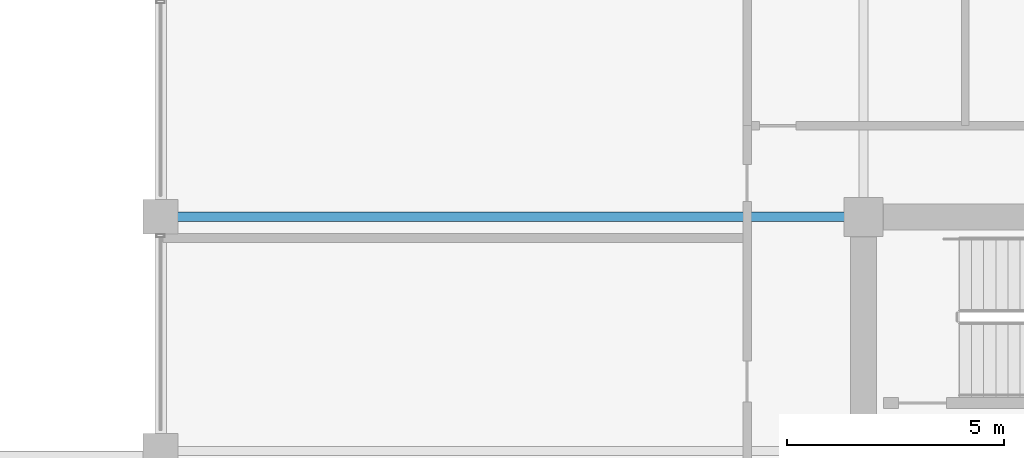
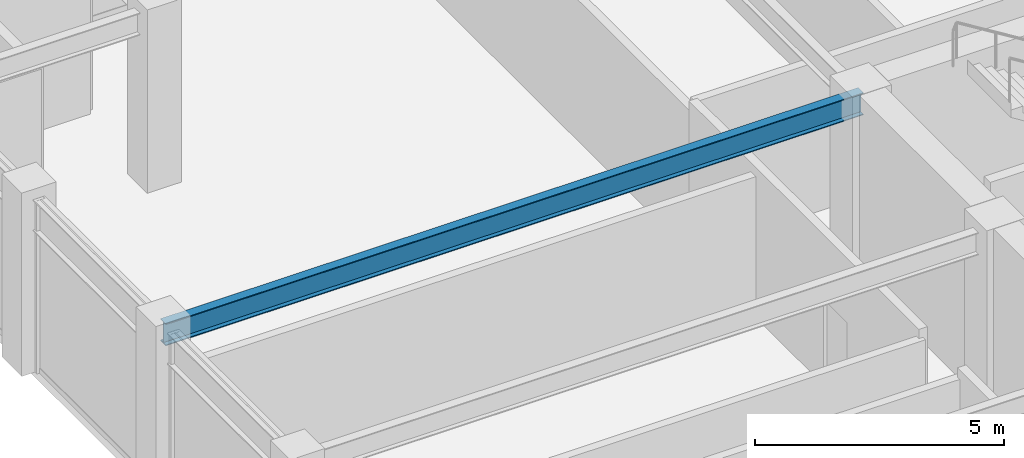
# One storey, part 15 of 28: 1 beam.
"""IFC4 building model written with IfcOpenShell, lengths in metres."""

from ifc_helpers import new_model, si_unit, direction, frame, origin, origin_2d, place, context, subcontext, project, spatial, i_section, extrude, material, material_profile, profile_set, type_object, element, save


model = new_model("IFC4")

# Units and contexts
model_context = context("Model", 3, precision=1e-05, world=origin(), true_north=direction((0.0, 1.0)))
body_context = subcontext(model_context, "Body", "Model", "MODEL_VIEW")
ifc_project = project(units=[si_unit("LENGTHUNIT", "METRE"), si_unit("AREAUNIT", "SQUARE_METRE"), si_unit("VOLUMEUNIT", "CUBIC_METRE"), si_unit("PLANEANGLEUNIT", "RADIAN"), si_unit("MASSUNIT", "GRAM", prefix="KILO")], contexts=[model_context])

# Site, building, storey
site_placement = place(None, origin())
site = spatial("IfcSite", under=ifc_project, at=site_placement, CompositionType="ELEMENT")
building_placement = place(site_placement, origin())
building = spatial("IfcBuilding", under=site, at=building_placement, Name="Surkhivell Harbour Commons", CompositionType="ELEMENT")
storey_placement = place(building_placement, frame((0.0, 0.0, 249.75)))
storey = spatial("IfcBuildingStorey", under=building, at=storey_placement, Name="L65", CompositionType="ELEMENT", Elevation=249.75)

# Beam
ifc_material = material(Name="Steel S355", Category="steel")
ifc_material_profile = material_profile(ifc_material, i_section(OverallWidth=0.2119140625, OverallDepth=0.5439453125, WebThickness=0.0126953125, FlangeThickness=0.021240234375, at=origin_2d()), Name="UB533x210x122")
ifc_profile_set = profile_set([ifc_material_profile], Name="Steel S355")
beam_type = type_object("IfcBeamType", Name="BM-GRD-533A", PredefinedType="BEAM", material=ifc_profile_set)
beam_placement = place(storey_placement, frame((-27.0, 10.800048828125, 3.97802734375), z_axis=(1.0, 0.0, 0.0), x_axis=(0.0, 1.0, 0.0)))
element("IfcBeam", 1, at=beam_placement, inside=storey, type_object=beam_type, Name="L65 Floor Girder (-27.0,10.8)", PredefinedType="BEAM", context=body_context, shape_type="SweptSolid", body=[
    extrude(i_section(OverallWidth=0.2119140625, OverallDepth=0.5439453125, WebThickness=0.0126953125, FlangeThickness=0.021240234375, at=origin_2d()), origin(), (0.0, 0.0, 1.0), 16.199951171875),
])

save(model, "model.ifc")
